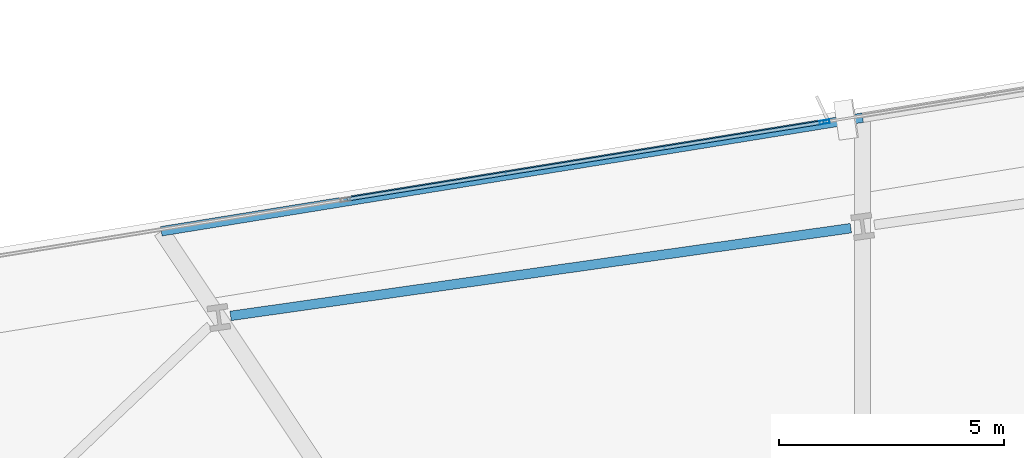
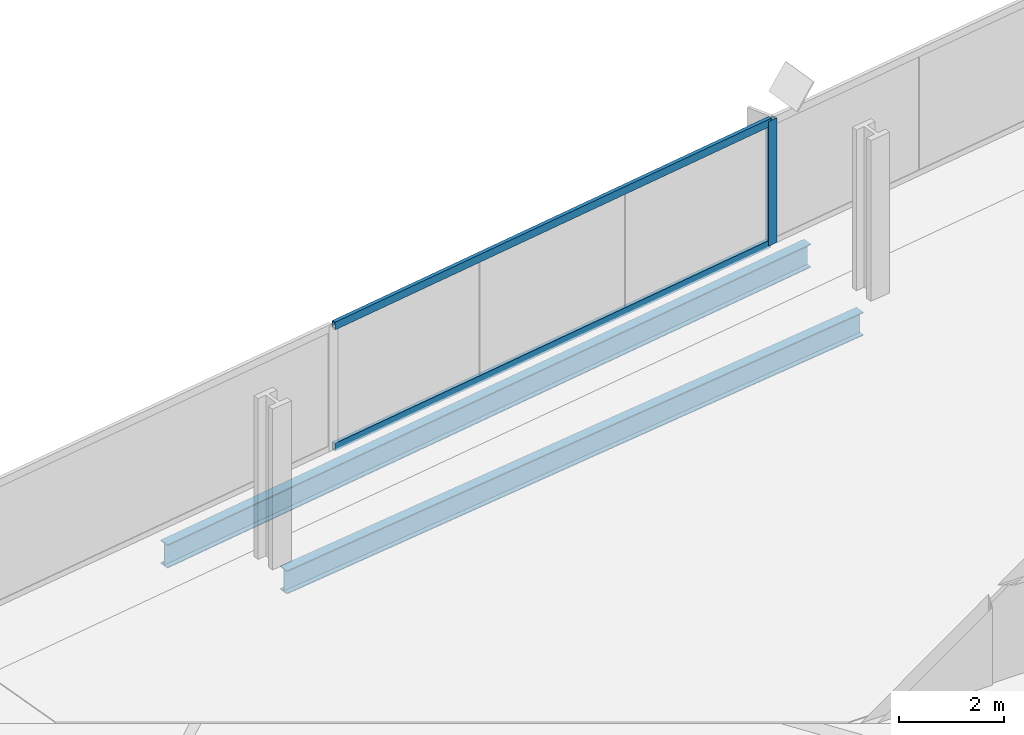
# One storey, part 19 of 33: 3 members, 2 beams, 1 element without a shape of its own.
"""IFC4 building model written with IfcOpenShell, lengths in metres."""

from ifc_helpers import new_model, si_unit, direction, frame, origin, origin_2d, place, context, subcontext, project, spatial, hollow_rectangle, i_section, extrude, material, material_profile, profile_set, type_object, element, aggregate, save


model = new_model("IFC4")

# Units and contexts
model_context = context("Model", 3, precision=1e-05, world=origin(), true_north=direction((0.0, 1.0)))
body_context = subcontext(model_context, "Body", "Model", "MODEL_VIEW")
ifc_project = project(units=[si_unit("LENGTHUNIT", "METRE"), si_unit("AREAUNIT", "SQUARE_METRE"), si_unit("VOLUMEUNIT", "CUBIC_METRE"), si_unit("PLANEANGLEUNIT", "RADIAN"), si_unit("MASSUNIT", "GRAM", prefix="KILO")], contexts=[model_context])

# Site, building, storey
site_placement = place(None, origin())
site = spatial("IfcSite", under=ifc_project, at=site_placement, CompositionType="ELEMENT")
building_placement = place(site_placement, origin())
building = spatial("IfcBuilding", under=site, at=building_placement, Name="Haldenkirk Collegiate Tower", CompositionType="ELEMENT")
storey_placement = place(building_placement, frame((0.0, 0.0, 58.949951171875)))
storey = spatial("IfcBuildingStorey", under=building, at=storey_placement, Name="L13", CompositionType="ELEMENT", Elevation=58.949951171875)

# Beams
ifc_material_1 = material(Name="Steel ASTM A992 Grade 50", Category="steel")
ifc_material_profile_1 = material_profile(ifc_material_1, i_section(OverallWidth=0.2119140625, OverallDepth=0.5439453125, WebThickness=0.01318359375, FlangeThickness=0.021240234375, at=origin_2d()), Name="W21X83")
ifc_profile_set_1 = profile_set([ifc_material_profile_1], Name="Steel ASTM A992 Grade 50")
beam_type = type_object("IfcBeamType", Name="BM-SPANDREL-W21X83", PredefinedType="SPANDREL", material=ifc_profile_set_1)
beam_1_placement = place(storey_placement, frame((32.51025390625, 48.785888671875, -0.58203125), z_axis=(-0.990146197746, -0.14003752029, 0.0), x_axis=(0.14003752029, -0.990146197746, 0.0)))
element("IfcBeam", 1, at=beam_1_placement, inside=storey, type_object=beam_type, Name="L13 perimeter spandrel beam 11", PredefinedType="SPANDREL", context=body_context, shape_type="SweptSolid", body=[
    extrude(i_section(OverallWidth=0.2119140625, OverallDepth=0.5439453125, WebThickness=0.01318359375, FlangeThickness=0.021240234375, at=origin_2d()), origin(), (0.0, 0.0, 1.0), 13.906982421875),
])
beam_2_placement = place(storey_placement, frame((32.772216796875, 51.238525390625, -0.58203125), z_axis=(-0.987137848629, -0.159871410212, 0.0), x_axis=(0.159871410212, -0.987137848629, 0.0)))
element("IfcBeam", 2, at=beam_2_placement, inside=storey, type_object=beam_type, Name="L13 outer facade edge beam 3B", PredefinedType="SPANDREL", context=body_context, shape_type="SweptSolid", body=[
    extrude(i_section(OverallWidth=0.2119140625, OverallDepth=0.5439453125, WebThickness=0.01318359375, FlangeThickness=0.021240234375, at=origin_2d()), origin(), (0.0, 0.0, 1.0), 15.77197265625),
])

# Curtain wall, members
ifc_material_2 = material(Name="Anodised architectural bronze aluminium", Category="aluminium")
curtain_wall_type = type_object("IfcCurtainWallType", Name="CW-SYS1-CONVEX-LOW", PredefinedType="USERDEFINED", material=ifc_material_2)
curtain_wall_placement = place(storey_placement, origin())
curtain_wall = element("IfcCurtainWall", 3, at=curtain_wall_placement, inside=storey, type_object=curtain_wall_type, Name="L13 Lower tower convex bronze-framed unitised curtain wall", ObjectType="UNITISED CURTAIN WALL", PredefinedType="USERDEFINED")
ifc_material_profile_2 = material_profile(ifc_material_2, hollow_rectangle(XDim=0.080078125, YDim=0.219970703125, WallThickness=0.0048828125, at=origin_2d()), Name="CW-MUL-1A")
ifc_profile_set_2 = profile_set([ifc_material_profile_2], Name="Anodised architectural bronze aluminium")
member_type_1 = type_object("IfcMemberType", Name="CW-MUL-1A", PredefinedType="MULLION", material=ifc_profile_set_2)
member_1_placement = place(storey_placement, frame((31.927734375, 51.142333984375, 0.0), z_axis=(0.0, 0.0, 1.0), x_axis=(-0.159881193222, 0.987136264177, 0.0)))
member_1 = element("IfcMember", 4, at=member_1_placement, type_object=member_type_1, Name="CW-1A mullion 3", PredefinedType="MULLION", context=body_context, shape_type="SweptSolid", body=[
    extrude(hollow_rectangle(XDim=0.080078125, YDim=0.219970703125, WallThickness=0.0048828125, at=origin_2d()), origin(), (0.0, 0.0, 1.0), 2.89111328125),
])
ifc_material_profile_3 = material_profile(ifc_material_2, hollow_rectangle(XDim=0.080078125, YDim=0.179931640625, WallThickness=0.0048828125, at=origin_2d()), Name="CW-TRN-1A")
ifc_profile_set_3 = profile_set([ifc_material_profile_3], Name="Anodised architectural bronze aluminium")
member_type_2 = type_object("IfcMemberType", Name="CW-TRN-1A", PredefinedType="USERDEFINED", material=ifc_profile_set_3)
member_2_placement = place(storey_placement, frame((21.330810546875, 49.426025390625, 0.0400390625), z_axis=(0.987136263905, 0.159881194903, 0.0), x_axis=(-0.159881194903, 0.987136263905, 0.0)))
member_2 = element("IfcMember", 5, at=member_2_placement, type_object=member_type_2, Name="CW-1A transom 2.1", ObjectType="TRANSOM", PredefinedType="USERDEFINED", context=body_context, shape_type="SweptSolid", body=[
    extrude(hollow_rectangle(XDim=0.080078125, YDim=0.179931640625, WallThickness=0.0048828125, at=origin_2d()), origin(), (0.0, 0.0, 1.0), 10.6953125),
])
member_3_placement = place(storey_placement, frame((21.330810546875, 49.426025390625, 2.85107421875), z_axis=(0.987136263905, 0.159881194903, 0.0), x_axis=(-0.159881194903, 0.987136263905, 0.0)))
member_3 = element("IfcMember", 6, at=member_3_placement, type_object=member_type_2, Name="CW-1A transom 2.2", ObjectType="TRANSOM", PredefinedType="USERDEFINED", context=body_context, shape_type="SweptSolid", body=[
    extrude(hollow_rectangle(XDim=0.080078125, YDim=0.179931640625, WallThickness=0.0048828125, at=origin_2d()), origin(), (0.0, 0.0, 1.0), 10.6953125),
])
aggregate(curtain_wall, [member_1, member_2, member_3])

save(model, "model.ifc")
